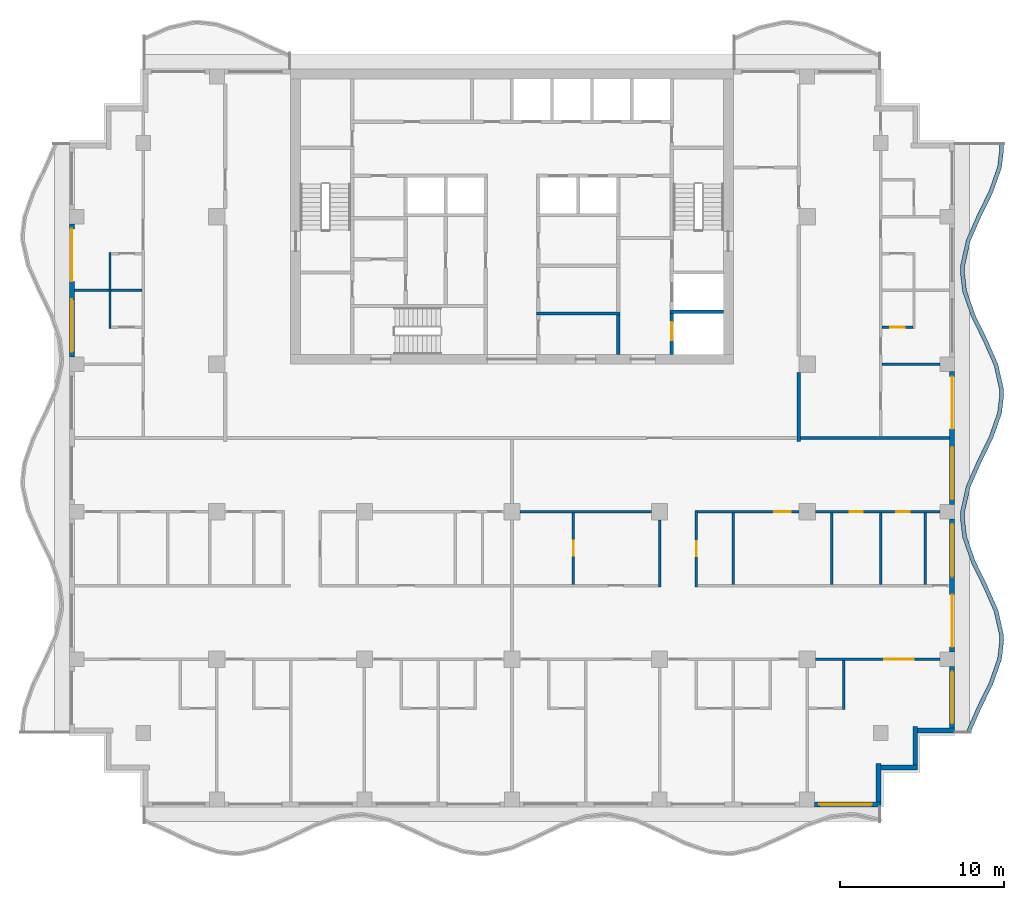
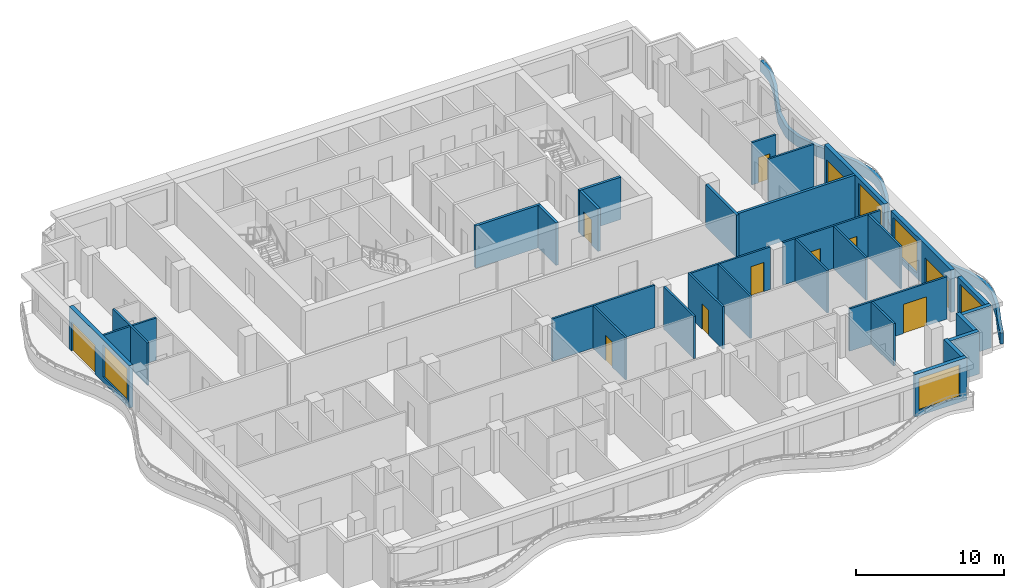
# One storey, part 4 of 11: 33 walls, 11 doors, 5 windows, 16 openings.
"""IFC4 building model written with IfcOpenShell, lengths in metres."""

from ifc_helpers import new_model, si_unit, direction, frame, frame_2d, origin, place, context, subcontext, project, spatial, polyline, rectangle, outline, extrude, material, layer, layer_set, type_object, element, fill, save


model = new_model("IFC4")

# Units and contexts
model_context = context("Model", 3, precision=1e-05, world=origin(), true_north=direction((0.0, 1.0)))
body_context = subcontext(model_context, "Body", "Model", "MODEL_VIEW")
ifc_project = project(units=[si_unit("LENGTHUNIT", "METRE"), si_unit("AREAUNIT", "SQUARE_METRE"), si_unit("VOLUMEUNIT", "CUBIC_METRE"), si_unit("PLANEANGLEUNIT", "RADIAN"), si_unit("MASSUNIT", "GRAM", prefix="KILO")], contexts=[model_context])

# Site, building, storey
site_placement = place(None, origin())
site = spatial("IfcSite", under=ifc_project, at=site_placement, CompositionType="ELEMENT")
building_placement = place(site_placement, origin())
building = spatial("IfcBuilding", under=site, at=building_placement, Name="Orbiselva Terraces", CompositionType="ELEMENT")
storey_placement = place(building_placement, frame((0.0, 0.0, 238.8)))
storey = spatial("IfcBuildingStorey", under=building, at=storey_placement, Name="L60", CompositionType="ELEMENT", Elevation=238.8)

# Walls
ifc_material_1 = material(Name="Concrete C60/75", Category="concrete")
ifc_layer_1 = layer(ifc_material_1, 0.2)
ifc_layer_set_1 = layer_set([ifc_layer_1], Name="Concrete C60/75")
wall_type_1 = type_object("IfcWallType", Name="CORE-WALL-SHEAR-200", PredefinedType="SHEAR", material=ifc_layer_set_1)
wall_1_placement = place(storey_placement, frame((1.5, 7.6, 0.0), z_axis=(0.0, 0.0, 1.0), x_axis=(1.0, 0.0, 0.0)))
element("IfcWall", 1, at=wall_1_placement, inside=storey, type_object=wall_type_1, Name="L60 core wall 28", PredefinedType="SHEAR", context=body_context, shape_type="SweptSolid", body=[
    extrude(rectangle(XDim=5.075, YDim=0.2, at=frame_2d((2.5375, 0.0))), origin(), (0.0, 0.0, 1.0), 3.5),
])
wall_2_placement = place(storey_placement, frame((6.475, 5.1, 0.0), z_axis=(0.0, 0.0, 1.0), x_axis=(0.0, 1.0, 0.0)))
element("IfcWall", 2, at=wall_2_placement, inside=storey, type_object=wall_type_1, Name="L60 core wall 38", PredefinedType="SHEAR", context=body_context, shape_type="SweptSolid", body=[
    extrude(rectangle(XDim=2.4, YDim=0.2, at=frame_2d((1.2, 0.0))), origin(), (0.0, 0.0, 1.0), 3.5),
])

# Wall, opening, door
wall_3_placement = place(storey_placement, frame((9.75, 5.1, 0.0), z_axis=(0.0, 0.0, 1.0), x_axis=(0.0, 1.0, 0.0)))
wall_3 = element("IfcWall", 3, at=wall_3_placement, inside=storey, type_object=wall_type_1, Name="L60 core wall 45", PredefinedType="SHEAR", context=body_context, shape_type="SweptSolid", body=[
    extrude(rectangle(XDim=2.5, YDim=0.2, at=frame_2d((1.25, 0.0))), origin(), (0.0, 0.0, 1.0), 3.5),
])
opening_1_placement = place(wall_3_placement, frame((0.85, 0.0, 0.0)))
opening_1 = element("IfcOpeningElement", 4, at=opening_1_placement, cuts=wall_3, Name="Opening LD-FF1", PredefinedType="OPENING", context=body_context, shape_type="SweptSolid", body=[
    extrude(rectangle(XDim=1.1, YDim=2.1, at=frame_2d((0.55, 1.05))), frame((0.0, 0.11, 0.0), z_axis=(0.0, -1.0, 0.0), x_axis=(1.0, 0.0, 0.0)), (0.0, 0.0, 1.0), 0.22),
])
ifc_material_2 = material(Name="Stainless steel landing door", Category="steel")
door_type_1 = type_object("IfcDoorType", Name="LANDING DOOR 1100", OperationType="SLIDING_TO_LEFT", PredefinedType="DOOR", material=ifc_material_2)
door_1_placement = place(opening_1_placement, origin())
door_1 = element("IfcDoor", 5, at=door_1_placement, inside=storey, type_object=door_type_1, Name="L60 landing door FF1", OperationType="SLIDING_TO_RIGHT", OverallHeight=2.1, OverallWidth=1.1, PredefinedType="DOOR", context=body_context, shape_type="SweptSolid", body=[
    extrude(rectangle(XDim=1.1, YDim=2.1, at=frame_2d((0.55, 1.05))), frame((0.0, 0.025, 0.0), z_axis=(0.0, -1.0, 0.0), x_axis=(1.0, 0.0, 0.0)), (0.0, 0.0, 1.0), 0.05),
])
fill(opening_1, door_1)

# Walls
wall_4_placement = place(storey_placement, frame((9.65, 7.7, 0.0), z_axis=(0.0, 0.0, 1.0), x_axis=(1.0, 0.0, 0.0)))
element("IfcWall", 6, at=wall_4_placement, inside=storey, type_object=wall_type_1, Name="L60 core wall 46", PredefinedType="SHEAR", context=body_context, shape_type="SweptSolid", body=[
    extrude(rectangle(XDim=3.25, YDim=0.2, at=frame_2d((1.625, 0.0))), origin(), (0.0, 0.0, 1.0), 3.5),
])
ifc_material_3 = material(Name="Concrete C40/50", Category="concrete")
ifc_layer_2 = layer(ifc_material_3, 0.25)
ifc_layer_set_2 = layer_set([ifc_layer_2], Name="Concrete C40/50")
wall_type_2 = type_object("IfcWallType", Name="ENV-PLANTER-250x900", PredefinedType="USERDEFINED", material=ifc_layer_set_2)
wall_5_placement = place(storey_placement, origin())
element("IfcWall", 7, at=wall_5_placement, inside=storey, type_object=wall_type_2, Name="Balcony planter L60 E", ObjectType="PLANTER", PredefinedType="USERDEFINED", context=body_context, shape_type="SweptSolid", body=[
    extrude(outline(polyline([(27.951472, -18.0), (28.612279, -16.5), (29.344789, -15.0), (29.869208, -13.5), (30.0, -12.375), (29.985226, -12.0), (29.648528, -10.5), (28.987721, -9.0), (28.255211, -7.5), (27.730792, -6.0), (27.6, -4.875), (27.614774, -4.5), (27.951472, -3.0), (28.612279, -1.5), (29.344789, 0.0), (29.869208, 1.5), (30.0, 2.625), (29.985226, 3.0), (29.648528, 4.5), (28.987721, 6.0), (28.255211, 7.5), (27.730792, 9.0), (27.6, 10.125), (27.614774, 10.5), (27.951472, 12.0), (28.612279, 13.5), (29.344789, 15.0), (29.869208, 16.5), (30.0, 17.625), (29.985226, 18.0), (29.73542, 17.990158), (29.749429, 17.634572), (29.624078, 16.556371), (29.113667, 15.09644), (28.385477, 13.605286), (27.712874, 12.078508), (27.365863, 10.532565), (27.349429, 10.115428), (27.485662, 8.943629), (28.024089, 7.40356), (28.760919, 5.894714), (29.40993, 4.421492), (29.736315, 2.967435), (29.749429, 2.634572), (29.624078, 1.556371), (29.113667, 0.09644), (28.385477, -1.394714), (27.712874, -2.921492), (27.365863, -4.467435), (27.349429, -4.884572), (27.485662, -6.056371), (28.024089, -7.59644), (28.760919, -9.105286), (29.40993, -10.578508), (29.736315, -12.032565), (29.749429, -12.365428), (29.624078, -13.443629), (29.113667, -14.90356), (28.385477, -16.394714), (27.722689, -17.899212), (27.951472, -18.0)])), origin(), (0.0, 0.0, 1.0), 0.9),
])

# Wall, opening, window
ifc_material_4 = material(Name="Terracotta cladding on masonry backing", Category="masonry")
ifc_layer_3 = layer(ifc_material_4, 0.3)
ifc_layer_set_3 = layer_set([ifc_layer_3], Name="Terracotta cladding on masonry backing")
wall_type_3 = type_object("IfcWallType", Name="ENV-WALL-TERRACOTTA-300", PredefinedType="SOLIDWALL", material=ifc_layer_set_3)
wall_6_placement = place(storey_placement, frame((22.5, -22.35, 0.0), z_axis=(0.0, 0.0, 1.0), x_axis=(-1.0, 0.0, 0.0)))
wall_6 = element("IfcWall", 8, at=wall_6_placement, inside=storey, type_object=wall_type_3, Name="Facade wall L60 S", PredefinedType="SOLIDWALL", context=body_context, shape_type="SweptSolid", body=[
    extrude(rectangle(XDim=4.05, YDim=0.3, at=frame_2d((2.025, 0.0))), origin(), (0.0, 0.0, 1.0), 3.5),
])
opening_2_placement = place(wall_6_placement, frame((0.55, 0.0, 0.45)))
opening_2 = element("IfcOpeningElement", 9, at=opening_2_placement, cuts=wall_6, Name="Opening WN17", PredefinedType="OPENING", context=body_context, shape_type="SweptSolid", body=[
    extrude(rectangle(XDim=3.2, YDim=2.65, at=frame_2d((1.6, 1.325))), frame((0.0, 0.16, 0.0), z_axis=(0.0, -1.0, 0.0), x_axis=(1.0, 0.0, 0.0)), (0.0, 0.0, 1.0), 0.32),
])
ifc_material_5 = material(Name="Clear low-e glazing in aluminium frame", Category="aluminium")
window_type_1 = type_object("IfcWindowType", Name="WINDOW 3200 X 2650 S450", PartitioningType="TRIPLE_PANEL_VERTICAL", PredefinedType="WINDOW", material=ifc_material_5)
window_1_placement = place(opening_2_placement, origin())
window_1 = element("IfcWindow", 10, at=window_1_placement, inside=storey, type_object=window_type_1, Name="Window L60 S", OverallHeight=2.65, OverallWidth=3.2, PartitioningType="SINGLE_PANEL", PredefinedType="WINDOW", context=body_context, shape_type="SweptSolid", body=[
    extrude(rectangle(XDim=3.2, YDim=2.65, at=frame_2d((1.6, 1.325))), frame((0.0, 0.03, 0.0), z_axis=(0.0, -1.0, 0.0), x_axis=(1.0, 0.0, 0.0)), (0.0, 0.0, 1.0), 0.06),
])
fill(opening_2, window_1)

# Walls
wall_7_placement = place(storey_placement, frame((22.35, -19.85, 0.0), z_axis=(0.0, 0.0, 1.0), x_axis=(0.0, -1.0, 0.0)))
element("IfcWall", 11, at=wall_7_placement, inside=storey, type_object=wall_type_3, Name="Facade wall L60 STEP", PredefinedType="SOLIDWALL", context=body_context, shape_type="SweptSolid", body=[
    extrude(rectangle(XDim=2.35, YDim=0.3, at=frame_2d((1.175, 0.0))), origin(), (0.0, 0.0, 1.0), 3.5),
])
wall_8_placement = place(storey_placement, frame((24.75, -20.1, 0.0), z_axis=(0.0, 0.0, 1.0), x_axis=(-1.0, 0.0, 0.0)))
element("IfcWall", 12, at=wall_8_placement, inside=storey, type_object=wall_type_3, Name="Facade wall L60 STEP", PredefinedType="SOLIDWALL", context=body_context, shape_type="SweptSolid", body=[
    extrude(rectangle(XDim=2.25, YDim=0.3, at=frame_2d((1.125, 0.0))), origin(), (0.0, 0.0, 1.0), 3.5),
])
wall_9_placement = place(storey_placement, frame((24.6, -17.6, 0.0), z_axis=(0.0, 0.0, 1.0), x_axis=(0.0, -1.0, 0.0)))
element("IfcWall", 13, at=wall_9_placement, inside=storey, type_object=wall_type_3, Name="Facade wall L60 STEP", PredefinedType="SOLIDWALL", context=body_context, shape_type="SweptSolid", body=[
    extrude(rectangle(XDim=2.35, YDim=0.3, at=frame_2d((1.175, 0.0))), origin(), (0.0, 0.0, 1.0), 3.5),
])
wall_10_placement = place(storey_placement, frame((27.0, -17.85, 0.0), z_axis=(0.0, 0.0, 1.0), x_axis=(-1.0, 0.0, 0.0)))
element("IfcWall", 14, at=wall_10_placement, inside=storey, type_object=wall_type_3, Name="Facade wall L60 STEP", PredefinedType="SOLIDWALL", context=body_context, shape_type="SweptSolid", body=[
    extrude(rectangle(XDim=2.25, YDim=0.3, at=frame_2d((1.125, 0.0))), origin(), (0.0, 0.0, 1.0), 3.5),
])

# Wall, opening, window
wall_11_placement = place(storey_placement, frame((26.85, -13.95, 0.0), z_axis=(0.0, 0.0, 1.0), x_axis=(0.0, -1.0, 0.0)))
wall_11 = element("IfcWall", 15, at=wall_11_placement, inside=storey, type_object=wall_type_3, Name="Facade wall L60 E", PredefinedType="SOLIDWALL", context=body_context, shape_type="SweptSolid", body=[
    extrude(rectangle(XDim=3.75, YDim=0.3, at=frame_2d((1.875, 0.0))), origin(), (0.0, 0.0, 1.0), 3.5),
])
opening_3_placement = place(wall_11_placement, frame((0.3, 0.0, 0.45)))
opening_3 = element("IfcOpeningElement", 16, at=opening_3_placement, cuts=wall_11, Name="Opening WN16", PredefinedType="OPENING", context=body_context, shape_type="SweptSolid", body=[
    extrude(rectangle(XDim=3.15, YDim=2.65, at=frame_2d((1.575, 1.325))), frame((0.0, 0.16, 0.0), z_axis=(0.0, -1.0, 0.0), x_axis=(1.0, 0.0, 0.0)), (0.0, 0.0, 1.0), 0.32),
])
window_type_2 = type_object("IfcWindowType", Name="WINDOW 3150 X 2650 S450", PartitioningType="TRIPLE_PANEL_VERTICAL", PredefinedType="WINDOW", material=ifc_material_5)
window_2_placement = place(opening_3_placement, origin())
window_2 = element("IfcWindow", 17, at=window_2_placement, inside=storey, type_object=window_type_2, Name="Window L60 E", OverallHeight=2.65, OverallWidth=3.15, PartitioningType="SINGLE_PANEL", PredefinedType="WINDOW", context=body_context, shape_type="SweptSolid", body=[
    extrude(rectangle(XDim=3.15, YDim=2.65, at=frame_2d((1.575, 1.325))), frame((0.0, 0.03, 0.0), z_axis=(0.0, -1.0, 0.0), x_axis=(1.0, 0.0, 0.0)), (0.0, 0.0, 1.0), 0.06),
])
fill(opening_3, window_2)

# Wall, openings, door, window
wall_12_placement = place(storey_placement, frame((26.85, -4.95, 0.0), z_axis=(0.0, 0.0, 1.0), x_axis=(0.0, -1.0, 0.0)))
wall_12 = element("IfcWall", 18, at=wall_12_placement, inside=storey, type_object=wall_type_3, Name="Facade wall L60 E", PredefinedType="SOLIDWALL", context=body_context, shape_type="SweptSolid", body=[
    extrude(rectangle(XDim=8.1, YDim=0.3, at=frame_2d((4.05, 0.0))), origin(), (0.0, 0.0, 1.0), 3.5),
])
opening_4_placement = place(wall_12_placement, frame((4.6, 0.0, 0.0)))
opening_4 = element("IfcOpeningElement", 19, at=opening_4_placement, cuts=wall_12, Name="Opening Z5-A-E05", PredefinedType="OPENING", context=body_context, shape_type="SweptSolid", body=[
    extrude(rectangle(XDim=3.2, YDim=2.4, at=frame_2d((1.6, 1.2))), frame((0.0, 0.16, 0.0), z_axis=(0.0, -1.0, 0.0), x_axis=(1.0, 0.0, 0.0)), (0.0, 0.0, 1.0), 0.32),
])
opening_5_placement = place(wall_12_placement, frame((0.3, 0.0, 0.45)))
opening_5 = element("IfcOpeningElement", 20, at=opening_5_placement, cuts=wall_12, Name="Opening WN17", PredefinedType="OPENING", context=body_context, shape_type="SweptSolid", body=[
    extrude(rectangle(XDim=3.2, YDim=2.65, at=frame_2d((1.6, 1.325))), frame((0.0, 0.16, 0.0), z_axis=(0.0, -1.0, 0.0), x_axis=(1.0, 0.0, 0.0)), (0.0, 0.0, 1.0), 0.32),
])
door_type_2 = type_object("IfcDoorType", Name="BALCONY DOOR 3200 X 2400", OperationType="DOUBLE_DOOR_SLIDING", PredefinedType="DOOR", material=ifc_material_5)
door_2_placement = place(opening_4_placement, origin())
door_2 = element("IfcDoor", 21, at=door_2_placement, inside=storey, type_object=door_type_2, Name="Z5-A-E05", OperationType="SINGLE_SWING_LEFT", OverallHeight=2.4, OverallWidth=3.2, PredefinedType="DOOR", context=body_context, shape_type="SweptSolid", body=[
    extrude(rectangle(XDim=3.2, YDim=2.4, at=frame_2d((1.6, 1.2))), frame((0.0, 0.025, 0.0), z_axis=(0.0, -1.0, 0.0), x_axis=(1.0, 0.0, 0.0)), (0.0, 0.0, 1.0), 0.05),
])
fill(opening_4, door_2)
window_3_placement = place(opening_5_placement, origin())
window_3 = element("IfcWindow", 22, at=window_3_placement, inside=storey, type_object=window_type_1, Name="Window L60 E", OverallHeight=2.65, OverallWidth=3.2, PartitioningType="SINGLE_PANEL", PredefinedType="WINDOW", context=body_context, shape_type="SweptSolid", body=[
    extrude(rectangle(XDim=3.2, YDim=2.65, at=frame_2d((1.6, 1.325))), frame((0.0, 0.03, 0.0), z_axis=(0.0, -1.0, 0.0), x_axis=(1.0, 0.0, 0.0)), (0.0, 0.0, 1.0), 0.06),
])
fill(opening_5, window_3)

wall_13_placement = place(storey_placement, frame((26.85, 4.05, 0.0), z_axis=(0.0, 0.0, 1.0), x_axis=(0.0, -1.0, 0.0)))
wall_13 = element("IfcWall", 23, at=wall_13_placement, inside=storey, type_object=wall_type_3, Name="Facade wall L60 E", PredefinedType="SOLIDWALL", context=body_context, shape_type="SweptSolid", body=[
    extrude(rectangle(XDim=8.1, YDim=0.3, at=frame_2d((4.05, 0.0))), origin(), (0.0, 0.0, 1.0), 3.5),
])
opening_6_placement = place(wall_13_placement, frame((4.6, 0.0, 0.45)))
opening_6 = element("IfcOpeningElement", 24, at=opening_6_placement, cuts=wall_13, Name="Opening WN17", PredefinedType="OPENING", context=body_context, shape_type="SweptSolid", body=[
    extrude(rectangle(XDim=3.2, YDim=2.65, at=frame_2d((1.6, 1.325))), frame((0.0, 0.16, 0.0), z_axis=(0.0, -1.0, 0.0), x_axis=(1.0, 0.0, 0.0)), (0.0, 0.0, 1.0), 0.32),
])
opening_7_placement = place(wall_13_placement, frame((0.3, 0.0, 0.0)))
opening_7 = element("IfcOpeningElement", 25, at=opening_7_placement, cuts=wall_13, Name="Opening Z5-A-E06", PredefinedType="OPENING", context=body_context, shape_type="SweptSolid", body=[
    extrude(rectangle(XDim=3.2, YDim=2.4, at=frame_2d((1.6, 1.2))), frame((0.0, 0.16, 0.0), z_axis=(0.0, -1.0, 0.0), x_axis=(1.0, 0.0, 0.0)), (0.0, 0.0, 1.0), 0.32),
])
door_3_placement = place(opening_7_placement, origin())
door_3 = element("IfcDoor", 26, at=door_3_placement, inside=storey, type_object=door_type_2, Name="Z5-A-E06", OperationType="SINGLE_SWING_LEFT", OverallHeight=2.4, OverallWidth=3.2, PredefinedType="DOOR", context=body_context, shape_type="SweptSolid", body=[
    extrude(rectangle(XDim=3.2, YDim=2.4, at=frame_2d((1.6, 1.2))), frame((0.0, 0.025, 0.0), z_axis=(0.0, -1.0, 0.0), x_axis=(1.0, 0.0, 0.0)), (0.0, 0.0, 1.0), 0.05),
])
fill(opening_7, door_3)
window_4_placement = place(opening_6_placement, origin())
window_4 = element("IfcWindow", 27, at=window_4_placement, inside=storey, type_object=window_type_1, Name="Window L60 E", OverallHeight=2.65, OverallWidth=3.2, PartitioningType="SINGLE_PANEL", PredefinedType="WINDOW", context=body_context, shape_type="SweptSolid", body=[
    extrude(rectangle(XDim=3.2, YDim=2.65, at=frame_2d((1.6, 1.325))), frame((0.0, 0.03, 0.0), z_axis=(0.0, -1.0, 0.0), x_axis=(1.0, 0.0, 0.0)), (0.0, 0.0, 1.0), 0.06),
])
fill(opening_6, window_4)

wall_14_placement = place(storey_placement, frame((-26.85, 4.95, 0.0), z_axis=(0.0, 0.0, 1.0), x_axis=(0.0, 1.0, 0.0)))
wall_14 = element("IfcWall", 28, at=wall_14_placement, inside=storey, type_object=wall_type_3, Name="Facade wall L60 W", PredefinedType="SOLIDWALL", context=body_context, shape_type="SweptSolid", body=[
    extrude(rectangle(XDim=8.1, YDim=0.3, at=frame_2d((4.05, 0.0))), origin(), (0.0, 0.0, 1.0), 3.5),
])
opening_8_placement = place(wall_14_placement, frame((4.6, 0.0, 0.0)))
opening_8 = element("IfcOpeningElement", 29, at=opening_8_placement, cuts=wall_14, Name="Opening Z5-A-E10", PredefinedType="OPENING", context=body_context, shape_type="SweptSolid", body=[
    extrude(rectangle(XDim=3.2, YDim=2.4, at=frame_2d((1.6, 1.2))), frame((0.0, 0.16, 0.0), z_axis=(0.0, -1.0, 0.0), x_axis=(1.0, 0.0, 0.0)), (0.0, 0.0, 1.0), 0.32),
])
opening_9_placement = place(wall_14_placement, frame((0.3, 0.0, 0.45)))
opening_9 = element("IfcOpeningElement", 30, at=opening_9_placement, cuts=wall_14, Name="Opening WN17", PredefinedType="OPENING", context=body_context, shape_type="SweptSolid", body=[
    extrude(rectangle(XDim=3.2, YDim=2.65, at=frame_2d((1.6, 1.325))), frame((0.0, 0.16, 0.0), z_axis=(0.0, -1.0, 0.0), x_axis=(1.0, 0.0, 0.0)), (0.0, 0.0, 1.0), 0.32),
])
door_4_placement = place(opening_8_placement, origin())
door_4 = element("IfcDoor", 31, at=door_4_placement, inside=storey, type_object=door_type_2, Name="Z5-A-E10", OperationType="SINGLE_SWING_LEFT", OverallHeight=2.4, OverallWidth=3.2, PredefinedType="DOOR", context=body_context, shape_type="SweptSolid", body=[
    extrude(rectangle(XDim=3.2, YDim=2.4, at=frame_2d((1.6, 1.2))), frame((0.0, 0.025, 0.0), z_axis=(0.0, -1.0, 0.0), x_axis=(1.0, 0.0, 0.0)), (0.0, 0.0, 1.0), 0.05),
])
fill(opening_8, door_4)
window_5_placement = place(opening_9_placement, origin())
window_5 = element("IfcWindow", 32, at=window_5_placement, inside=storey, type_object=window_type_1, Name="Window L60 W", OverallHeight=2.65, OverallWidth=3.2, PartitioningType="SINGLE_PANEL", PredefinedType="WINDOW", context=body_context, shape_type="SweptSolid", body=[
    extrude(rectangle(XDim=3.2, YDim=2.65, at=frame_2d((1.6, 1.325))), frame((0.0, 0.03, 0.0), z_axis=(0.0, -1.0, 0.0), x_axis=(1.0, 0.0, 0.0)), (0.0, 0.0, 1.0), 0.06),
])
fill(opening_9, window_5)

# Wall
ifc_material_6 = material(Name="Plasterboard on steel stud partition", Category="steel")
ifc_layer_4 = layer(ifc_material_6, 0.2)
ifc_layer_set_4 = layer_set([ifc_layer_4], Name="Plasterboard on steel stud partition")
wall_type_4 = type_object("IfcWallType", Name="UNIT-ENTRANCE-WALL-200", PredefinedType="PARTITIONING", material=ifc_layer_set_4)
wall_15_placement = place(storey_placement, frame((17.5, -0.2, 0.0), z_axis=(0.0, 0.0, 1.0), x_axis=(0.0, 1.0, 0.0)))
element("IfcWall", 33, at=wall_15_placement, inside=storey, type_object=wall_type_4, Name="PARTITION L60-078", PredefinedType="PARTITIONING", context=body_context, shape_type="SweptSolid", body=[
    extrude(rectangle(XDim=4.2, YDim=0.2, at=frame_2d((2.1, 0.0))), origin(), (0.0, 0.0, 1.0), 3.5),
])

# Wall, opening, door
ifc_layer_5 = layer(ifc_material_6, 0.15)
ifc_layer_set_5 = layer_set([ifc_layer_5], Name="Plasterboard on steel stud partition")
wall_type_5 = type_object("IfcWallType", Name="UNIT-PARTITION-150", PredefinedType="PARTITIONING", material=ifc_layer_set_5)
wall_16_placement = place(storey_placement, frame((26.1, -13.5, 0.0), z_axis=(0.0, 0.0, 1.0), x_axis=(-1.0, 0.0, 0.0)))
wall_16 = element("IfcWall", 34, at=wall_16_placement, inside=storey, type_object=wall_type_5, Name="PARTITION L60-014", PredefinedType="PARTITIONING", context=body_context, shape_type="SweptSolid", body=[
    extrude(rectangle(XDim=7.6, YDim=0.15, at=frame_2d((3.8, 0.0))), origin(), (0.0, 0.0, 1.0), 3.5),
])
opening_10_placement = place(wall_16_placement, frame((1.6, 0.0, 0.0)))
opening_10 = element("IfcOpeningElement", 35, at=opening_10_placement, cuts=wall_16, Name="Opening Z5-A-43", PredefinedType="OPENING", context=body_context, shape_type="SweptSolid", body=[
    extrude(rectangle(XDim=1.8, YDim=2.4, at=frame_2d((0.9, 1.2))), frame((0.0, 0.085, 0.0), z_axis=(0.0, -1.0, 0.0), x_axis=(1.0, 0.0, 0.0)), (0.0, 0.0, 1.0), 0.17),
])
ifc_material_7 = material(Name="Painted timber door leaf", Category="wood")
door_type_3 = type_object("IfcDoorType", Name="DOUBLE DOOR 1800", OperationType="NOTDEFINED", PredefinedType="DOOR", material=ifc_material_7)
door_5_placement = place(opening_10_placement, origin())
door_5 = element("IfcDoor", 36, at=door_5_placement, inside=storey, type_object=door_type_3, Name="Z5-A-43", OperationType="DOUBLE_DOOR_SINGLE_SWING", OverallHeight=2.4, OverallWidth=1.8, PredefinedType="DOOR", context=body_context, shape_type="SweptSolid", body=[
    extrude(rectangle(XDim=1.8, YDim=2.4, at=frame_2d((0.9, 1.2))), frame((0.0, 0.025, 0.0), z_axis=(0.0, -1.0, 0.0), x_axis=(1.0, 0.0, 0.0)), (0.0, 0.0, 1.0), 0.05),
])
fill(opening_10, door_5)

# Wall
wall_17_placement = place(storey_placement, frame((0.5, -4.5, 0.0), z_axis=(0.0, 0.0, 1.0), x_axis=(1.0, 0.0, 0.0)))
element("IfcWall", 37, at=wall_17_placement, inside=storey, type_object=wall_type_5, Name="PARTITION L60-023", PredefinedType="PARTITIONING", context=body_context, shape_type="SweptSolid", body=[
    extrude(rectangle(XDim=8.0, YDim=0.15, at=frame_2d((4.0, 0.0))), origin(), (0.0, 0.0, 1.0), 3.5),
])

# Wall, opening, door
wall_18_placement = place(storey_placement, frame((17.5, -4.5, 0.0), z_axis=(0.0, 0.0, 1.0), x_axis=(-1.0, 0.0, 0.0)))
wall_18 = element("IfcWall", 38, at=wall_18_placement, inside=storey, type_object=wall_type_5, Name="PARTITION L60-024", PredefinedType="PARTITIONING", context=body_context, shape_type="SweptSolid", body=[
    extrude(rectangle(XDim=6.175, YDim=0.15, at=frame_2d((3.0875, 0.0))), origin(), (0.0, 0.0, 1.0), 3.5),
])
opening_11_placement = place(wall_18_placement, frame((0.5, 0.0, 0.0)))
opening_11 = element("IfcOpeningElement", 39, at=opening_11_placement, cuts=wall_18, Name="Opening Z5-A-39", PredefinedType="OPENING", context=body_context, shape_type="SweptSolid", body=[
    extrude(rectangle(XDim=1.0, YDim=2.4, at=frame_2d((0.5, 1.2))), frame((0.0, 0.085, 0.0), z_axis=(0.0, -1.0, 0.0), x_axis=(1.0, 0.0, 0.0)), (0.0, 0.0, 1.0), 0.17),
])
door_type_4 = type_object("IfcDoorType", Name="ROOM DOOR 1000", OperationType="NOTDEFINED", PredefinedType="DOOR", material=ifc_material_7)
door_6_placement = place(opening_11_placement, origin())
door_6 = element("IfcDoor", 40, at=door_6_placement, inside=storey, type_object=door_type_4, Name="Z5-A-39", OperationType="SINGLE_SWING_LEFT", OverallHeight=2.4, OverallWidth=1.0, PredefinedType="DOOR", context=body_context, shape_type="SweptSolid", body=[
    extrude(rectangle(XDim=1.0, YDim=2.4, at=frame_2d((0.5, 1.2))), frame((0.0, 0.025, 0.0), z_axis=(0.0, -1.0, 0.0), x_axis=(1.0, 0.0, 0.0)), (0.0, 0.0, 1.0), 0.05),
])
fill(opening_11, door_6)

# Wall, openings, doors
wall_19_placement = place(storey_placement, frame((26.1, -4.5, 0.0), z_axis=(0.0, 0.0, 1.0), x_axis=(-1.0, 0.0, 0.0)))
wall_19 = element("IfcWall", 41, at=wall_19_placement, inside=storey, type_object=wall_type_5, Name="PARTITION L60-025", PredefinedType="PARTITIONING", context=body_context, shape_type="SweptSolid", body=[
    extrude(rectangle(XDim=7.6, YDim=0.15, at=frame_2d((3.8, 0.0))), origin(), (0.0, 0.0, 1.0), 3.5),
])
opening_12_placement = place(wall_19_placement, frame((1.85, 0.0, 0.0)))
opening_12 = element("IfcOpeningElement", 42, at=opening_12_placement, cuts=wall_19, Name="Opening Z5-A-37", PredefinedType="OPENING", context=body_context, shape_type="SweptSolid", body=[
    extrude(rectangle(XDim=0.8, YDim=2.0, at=frame_2d((0.4, 1.0))), frame((0.0, 0.085, 0.0), z_axis=(0.0, -1.0, 0.0), x_axis=(1.0, 0.0, 0.0)), (0.0, 0.0, 1.0), 0.17),
])
opening_13_placement = place(wall_19_placement, frame((4.7, 0.0, 0.0)))
opening_13 = element("IfcOpeningElement", 43, at=opening_13_placement, cuts=wall_19, Name="Opening Z5-A-38", PredefinedType="OPENING", context=body_context, shape_type="SweptSolid", body=[
    extrude(rectangle(XDim=0.8, YDim=2.0, at=frame_2d((0.4, 1.0))), frame((0.0, 0.085, 0.0), z_axis=(0.0, -1.0, 0.0), x_axis=(1.0, 0.0, 0.0)), (0.0, 0.0, 1.0), 0.17),
])
door_type_5 = type_object("IfcDoorType", Name="STORE DOOR 800", OperationType="NOTDEFINED", PredefinedType="DOOR", material=ifc_material_7)
door_7_placement = place(opening_12_placement, origin())
door_7 = element("IfcDoor", 44, at=door_7_placement, inside=storey, type_object=door_type_5, Name="Z5-A-37", OperationType="SINGLE_SWING_LEFT", OverallHeight=2.0, OverallWidth=0.8, PredefinedType="DOOR", context=body_context, shape_type="SweptSolid", body=[
    extrude(rectangle(XDim=0.8, YDim=2.0, at=frame_2d((0.4, 1.0))), frame((0.0, 0.025, 0.0), z_axis=(0.0, -1.0, 0.0), x_axis=(1.0, 0.0, 0.0)), (0.0, 0.0, 1.0), 0.05),
])
fill(opening_12, door_7)
door_8_placement = place(opening_13_placement, origin())
door_8 = element("IfcDoor", 45, at=door_8_placement, inside=storey, type_object=door_type_5, Name="Z5-A-38", OperationType="SINGLE_SWING_RIGHT", OverallHeight=2.0, OverallWidth=0.8, PredefinedType="DOOR", context=body_context, shape_type="SweptSolid", body=[
    extrude(rectangle(XDim=0.8, YDim=2.0, at=frame_2d((0.4, 1.0))), frame((0.0, 0.025, 0.0), z_axis=(0.0, -1.0, 0.0), x_axis=(1.0, 0.0, 0.0)), (0.0, 0.0, 1.0), 0.05),
])
fill(opening_13, door_8)

# Wall
wall_20_placement = place(storey_placement, frame((22.575, 4.5, 0.0), z_axis=(0.0, 0.0, 1.0), x_axis=(1.0, 0.0, 0.0)))
element("IfcWall", 46, at=wall_20_placement, inside=storey, type_object=wall_type_5, Name="PARTITION L60-030", PredefinedType="PARTITIONING", context=body_context, shape_type="SweptSolid", body=[
    extrude(rectangle(XDim=3.525, YDim=0.15, at=frame_2d((1.7625, 0.0))), origin(), (0.0, 0.0, 1.0), 3.5),
])

# Wall, opening, door
wall_21_placement = place(storey_placement, frame((22.575, 6.75, 0.0), z_axis=(0.0, 0.0, 1.0), x_axis=(1.0, 0.0, 0.0)))
wall_21 = element("IfcWall", 47, at=wall_21_placement, inside=storey, type_object=wall_type_5, Name="PARTITION L60-032", PredefinedType="PARTITIONING", context=body_context, shape_type="SweptSolid", body=[
    extrude(rectangle(XDim=1.875, YDim=0.15, at=frame_2d((0.9375, 0.0))), origin(), (0.0, 0.0, 1.0), 3.5),
])
opening_14_placement = place(wall_21_placement, frame((0.5, 0.0, 0.0)))
opening_14 = element("IfcOpeningElement", 48, at=opening_14_placement, cuts=wall_21, Name="Opening Z5-A-11", PredefinedType="OPENING", context=body_context, shape_type="SweptSolid", body=[
    extrude(rectangle(XDim=0.9, YDim=2.1, at=frame_2d((0.45, 1.05))), frame((0.0, 0.085, 0.0), z_axis=(0.0, -1.0, 0.0), x_axis=(1.0, 0.0, 0.0)), (0.0, 0.0, 1.0), 0.17),
])
door_type_6 = type_object("IfcDoorType", Name="BATH DOOR 900", OperationType="NOTDEFINED", PredefinedType="DOOR", material=ifc_material_7)
door_9_placement = place(opening_14_placement, origin())
door_9 = element("IfcDoor", 49, at=door_9_placement, inside=storey, type_object=door_type_6, Name="Z5-A-11", OperationType="SINGLE_SWING_RIGHT", OverallHeight=2.1, OverallWidth=0.9, PredefinedType="DOOR", context=body_context, shape_type="SweptSolid", body=[
    extrude(rectangle(XDim=0.9, YDim=2.1, at=frame_2d((0.45, 1.05))), frame((0.0, 0.025, 0.0), z_axis=(0.0, -1.0, 0.0), x_axis=(1.0, 0.0, 0.0)), (0.0, 0.0, 1.0), 0.05),
])
fill(opening_14, door_9)

# Walls
wall_22_placement = place(storey_placement, frame((-26.7, 9.0, 0.0), z_axis=(0.0, 0.0, 1.0), x_axis=(1.0, 0.0, 0.0)))
element("IfcWall", 50, at=wall_22_placement, inside=storey, type_object=wall_type_5, Name="PARTITION L60-033", PredefinedType="PARTITIONING", context=body_context, shape_type="SweptSolid", body=[
    extrude(rectangle(XDim=2.1, YDim=0.15, at=frame_2d((1.05, 0.0))), origin(), (0.0, 0.0, 1.0), 3.5),
])
wall_23_placement = place(storey_placement, frame((-24.45, 9.0, 0.0), z_axis=(0.0, 0.0, 1.0), x_axis=(1.0, 0.0, 0.0)))
element("IfcWall", 51, at=wall_23_placement, inside=storey, type_object=wall_type_5, Name="PARTITION L60-034", PredefinedType="PARTITIONING", context=body_context, shape_type="SweptSolid", body=[
    extrude(rectangle(XDim=1.875, YDim=0.15, at=frame_2d((0.9375, 0.0))), origin(), (0.0, 0.0, 1.0), 3.5),
])
wall_24_placement = place(storey_placement, frame((-24.525, 6.675, 0.0), z_axis=(0.0, 0.0, 1.0), x_axis=(0.0, 1.0, 0.0)))
element("IfcWall", 52, at=wall_24_placement, inside=storey, type_object=wall_type_5, Name="PARTITION L60-042", PredefinedType="PARTITIONING", context=body_context, shape_type="SweptSolid", body=[
    extrude(rectangle(XDim=4.65, YDim=0.15, at=frame_2d((2.325, 0.0))), origin(), (0.0, 0.0, 1.0), 3.5),
])

# Wall, opening, door
wall_25_placement = place(storey_placement, frame((3.75, -8.925, 0.0), z_axis=(0.0, 0.0, 1.0), x_axis=(0.0, 1.0, 0.0)))
wall_25 = element("IfcWall", 53, at=wall_25_placement, inside=storey, type_object=wall_type_5, Name="PARTITION L60-069", PredefinedType="PARTITIONING", context=body_context, shape_type="SweptSolid", body=[
    extrude(rectangle(XDim=4.35, YDim=0.15, at=frame_2d((2.175, 0.0))), origin(), (0.0, 0.0, 1.0), 3.5),
])
opening_15_placement = place(wall_25_placement, frame((1.75, 0.0, 0.0)))
opening_15 = element("IfcOpeningElement", 54, at=opening_15_placement, cuts=wall_25, Name="Opening Z5-A-42", PredefinedType="OPENING", context=body_context, shape_type="SweptSolid", body=[
    extrude(rectangle(XDim=0.9, YDim=2.1, at=frame_2d((0.45, 1.05))), frame((0.0, 0.085, 0.0), z_axis=(0.0, -1.0, 0.0), x_axis=(1.0, 0.0, 0.0)), (0.0, 0.0, 1.0), 0.17),
])
door_10_placement = place(opening_15_placement, origin())
door_10 = element("IfcDoor", 55, at=door_10_placement, inside=storey, type_object=door_type_6, Name="Z5-A-42", OperationType="SINGLE_SWING_RIGHT", OverallHeight=2.1, OverallWidth=0.9, PredefinedType="DOOR", context=body_context, shape_type="SweptSolid", body=[
    extrude(rectangle(XDim=0.9, YDim=2.1, at=frame_2d((0.45, 1.05))), frame((0.0, 0.025, 0.0), z_axis=(0.0, -1.0, 0.0), x_axis=(1.0, 0.0, 0.0)), (0.0, 0.0, 1.0), 0.05),
])
fill(opening_15, door_10)

# Wall
wall_26_placement = place(storey_placement, frame((9.0, -9.075, 0.0), z_axis=(0.0, 0.0, 1.0), x_axis=(0.0, 1.0, 0.0)))
element("IfcWall", 56, at=wall_26_placement, inside=storey, type_object=wall_type_5, Name="PARTITION L60-072", PredefinedType="PARTITIONING", context=body_context, shape_type="SweptSolid", body=[
    extrude(rectangle(XDim=4.075, YDim=0.15, at=frame_2d((2.0375, 0.0))), origin(), (0.0, 0.0, 1.0), 3.5),
])

# Wall, opening, door
wall_27_placement = place(storey_placement, frame((11.25, -4.425, 0.0), z_axis=(0.0, 0.0, 1.0), x_axis=(0.0, -1.0, 0.0)))
wall_27 = element("IfcWall", 57, at=wall_27_placement, inside=storey, type_object=wall_type_5, Name="PARTITION L60-074", PredefinedType="PARTITIONING", context=body_context, shape_type="SweptSolid", body=[
    extrude(rectangle(XDim=4.65, YDim=0.15, at=frame_2d((2.325, 0.0))), origin(), (0.0, 0.0, 1.0), 3.5),
])
opening_16_placement = place(wall_27_placement, frame((1.875, 0.0, 0.0)))
opening_16 = element("IfcOpeningElement", 58, at=opening_16_placement, cuts=wall_27, Name="Opening Z5-A-40", PredefinedType="OPENING", context=body_context, shape_type="SweptSolid", body=[
    extrude(rectangle(XDim=0.9, YDim=2.1, at=frame_2d((0.45, 1.05))), frame((0.0, 0.085, 0.0), z_axis=(0.0, -1.0, 0.0), x_axis=(1.0, 0.0, 0.0)), (0.0, 0.0, 1.0), 0.17),
])
door_11_placement = place(opening_16_placement, origin())
door_11 = element("IfcDoor", 59, at=door_11_placement, inside=storey, type_object=door_type_6, Name="Z5-A-40", OperationType="SINGLE_SWING_RIGHT", OverallHeight=2.1, OverallWidth=0.9, PredefinedType="DOOR", context=body_context, shape_type="SweptSolid", body=[
    extrude(rectangle(XDim=0.9, YDim=2.1, at=frame_2d((0.45, 1.05))), frame((0.0, 0.025, 0.0), z_axis=(0.0, -1.0, 0.0), x_axis=(1.0, 0.0, 0.0)), (0.0, 0.0, 1.0), 0.05),
])
fill(opening_16, door_11)

# Walls
for number, where, z_axis, x_axis, name in (
    (60, (13.5, -8.925, 0.0), (0.0, 0.0, 1.0), (0.0, 1.0, 0.0), "PARTITION L60-076"),
    (61, (19.5, -8.925, 0.0), (0.0, 0.0, 1.0), (0.0, 1.0, 0.0), "PARTITION L60-083"),
):
    element("IfcWall", number, at=place(storey_placement, frame(where, z_axis=z_axis, x_axis=x_axis)), inside=storey, type_object=wall_type_5, Name=name, PredefinedType="PARTITIONING", context=body_context, shape_type="SweptSolid", body=[
        extrude(rectangle(XDim=4.35, YDim=0.15, at=frame_2d((2.175, 0.0))), origin(), (0.0, 0.0, 1.0), 3.5),
    ])
wall_28_placement = place(storey_placement, frame((20.25, -16.575, 0.0), z_axis=(0.0, 0.0, 1.0), x_axis=(0.0, 1.0, 0.0)))
element("IfcWall", 62, at=wall_28_placement, inside=storey, type_object=wall_type_5, Name="PARTITION L60-084", PredefinedType="PARTITIONING", context=body_context, shape_type="SweptSolid", body=[
    extrude(rectangle(XDim=3.0, YDim=0.15, at=frame_2d((1.5, 0.0))), origin(), (0.0, 0.0, 1.0), 3.5),
])
for number, where, z_axis, x_axis, name in (
    (63, (22.5, -8.925, 0.0), (0.0, 0.0, 1.0), (0.0, 1.0, 0.0), "PARTITION L60-085"),
    (64, (25.2, -8.925, 0.0), (0.0, 0.0, 1.0), (0.0, 1.0, 0.0), "PARTITION L60-090"),
):
    element("IfcWall", number, at=place(storey_placement, frame(where, z_axis=z_axis, x_axis=x_axis)), inside=storey, type_object=wall_type_5, Name=name, PredefinedType="PARTITIONING", context=body_context, shape_type="SweptSolid", body=[
        extrude(rectangle(XDim=4.35, YDim=0.15, at=frame_2d((2.175, 0.0))), origin(), (0.0, 0.0, 1.0), 3.5),
    ])
ifc_layer_6 = layer(ifc_material_6, 0.2)
ifc_layer_set_6 = layer_set([ifc_layer_6], Name="Plasterboard on steel stud partition")
wall_type_6 = type_object("IfcWallType", Name="UNIT-PARTY-WALL-200", PredefinedType="PARTITIONING", material=ifc_layer_set_6)
wall_29_placement = place(storey_placement, frame((17.6, 0.0, 0.0), z_axis=(0.0, 0.0, 1.0), x_axis=(1.0, 0.0, 0.0)))
element("IfcWall", 65, at=wall_29_placement, inside=storey, type_object=wall_type_6, Name="PARTITION L60-028", PredefinedType="PARTITIONING", context=body_context, shape_type="SweptSolid", body=[
    extrude(rectangle(XDim=9.1, YDim=0.2, at=frame_2d((4.55, 0.0))), origin(), (0.0, 0.0, 1.0), 3.5),
])

save(model, "model.ifc")
